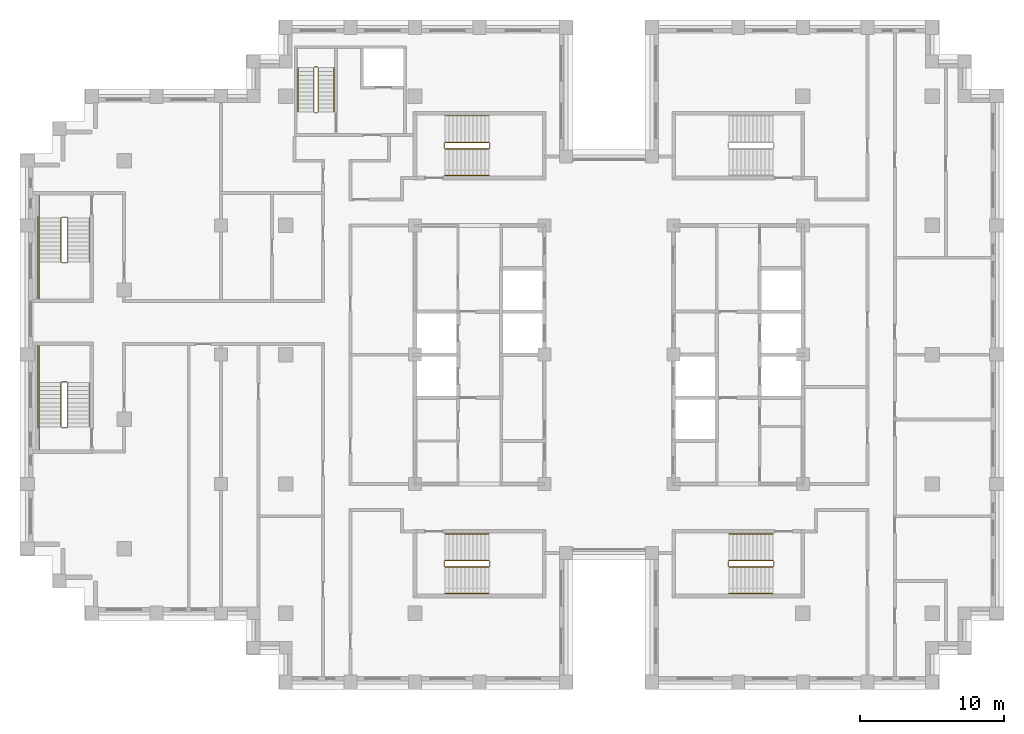
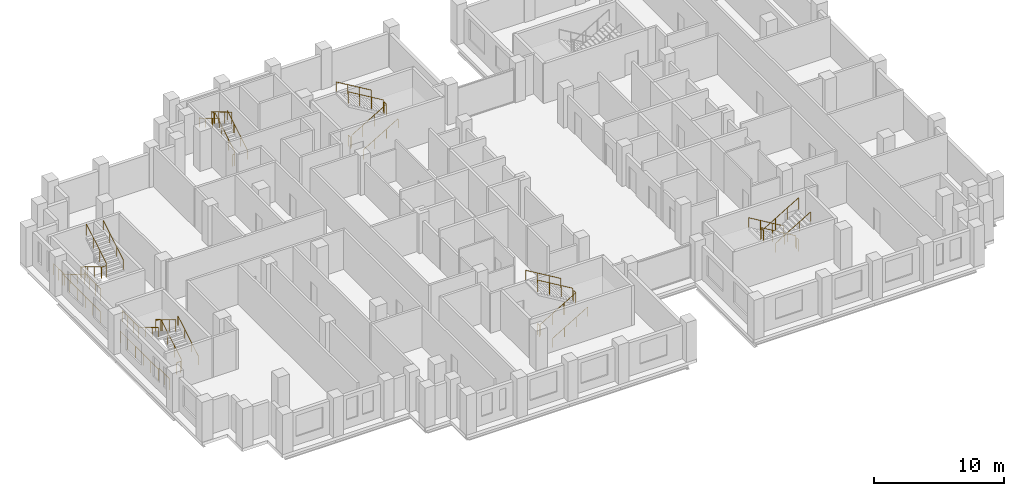
# One storey, part 14 of 15: 6 railings.
"""IFC4 building model written with IfcOpenShell, lengths in metres."""

from ifc_helpers import new_model, si_unit, direction, frame, origin, origin_2d, place, context, subcontext, project, spatial, circle, extrude, material, type_object, element, save


model = new_model("IFC4")

# Units and contexts
model_context = context("Model", 3, precision=1e-05, world=origin(), true_north=direction((0.0, 1.0)))
body_context = subcontext(model_context, "Body", "Model", "MODEL_VIEW")
ifc_project = project(units=[si_unit("LENGTHUNIT", "METRE"), si_unit("AREAUNIT", "SQUARE_METRE"), si_unit("VOLUMEUNIT", "CUBIC_METRE"), si_unit("PLANEANGLEUNIT", "RADIAN"), si_unit("MASSUNIT", "GRAM", prefix="KILO")], contexts=[model_context])

# Site, building, storey
site_placement = place(None, origin())
site = spatial("IfcSite", under=ifc_project, at=site_placement, CompositionType="ELEMENT")
building_placement = place(site_placement, origin())
building = spatial("IfcBuilding", under=site, at=building_placement, Name="Corbelhall Arena Tower", CompositionType="ELEMENT")
storey_placement = place(building_placement, frame((0.0, 0.0, 204.0)))
storey = spatial("IfcBuildingStorey", under=building, at=storey_placement, Name="L42", CompositionType="ELEMENT", Elevation=204.0)

# Railings
ifc_material = material(Name="Steel ASTM A500 Gr C", Category="steel")
railing_type = type_object("IfcRailingType", Name="IN-GD-1100", PredefinedType="GUARDRAIL", material=ifc_material)
railing_1_placement = place(storey_placement, frame((-11.425048828125, 14.324951171875, 0.166748046875)))
element("IfcRailing", 1, at=railing_1_placement, inside=storey, type_object=railing_type, Name="L42 ST1 stair guards and handrails", PredefinedType="GUARDRAIL", context=body_context, shape_type="SweptSolid", body=[
    extrude(circle(Radius=0.02392578125, at=origin_2d()), frame((0.0, 0.0, 1.076171875), z_axis=(0.859308565015, 0.0, 0.511457515432), x_axis=(0.0, 1.0, 0.0)), (0.0, 0.0, 1.0), 3.58447265625),
    extrude(circle(Radius=0.02392578125, at=origin_2d()), frame((3.130126953125, 0.050048828125, 2.9091796875), z_axis=(0.0, 1.0, 0.0), x_axis=(-1.0, 0.0, 0.0)), (0.0, 0.0, 1.0), 0.35009765625),
    extrude(circle(Radius=0.02392578125, at=origin_2d()), frame((3.080078125, 0.449951171875, 3.076171875), z_axis=(-0.859308565015, 0.0, 0.511457515432), x_axis=(0.0, -1.0, 0.0)), (0.0, 0.0, 1.0), 3.58447265625),
    extrude(circle(Radius=0.02392578125, at=origin_2d()), frame((-0.050048828125, 0.050048828125, 0.9091796875), z_axis=(0.0, 1.0, 0.0), x_axis=(-1.0, 0.0, 0.0)), (0.0, 0.0, 1.0), 0.35009765625),
    extrude(circle(Radius=0.02392578125, at=origin_2d()), frame((0.0, -1.849853515625, 0.8759765625), z_axis=(0.859308565015, 0.0, 0.511457515432), x_axis=(0.0, 1.0, 0.0)), (0.0, 0.0, 1.0), 3.58447265625),
    extrude(circle(Radius=0.02392578125, at=origin_2d()), frame((3.080078125, 2.300048828125, 2.8759765625), z_axis=(-0.859308565015, 0.0, 0.511457515432), x_axis=(0.0, -1.0, 0.0)), (0.0, 0.0, 1.0), 3.58447265625),
    extrude(circle(Radius=0.02099609375, at=origin_2d()), origin(), (0.0, 0.0, 1.0), 1.052001953125),
    extrude(circle(Radius=0.02099609375, at=origin_2d()), frame((1.026611328125, 0.0, 0.611083984375)), (0.0, 0.0, 1.0), 1.052001953125),
    extrude(circle(Radius=0.02099609375, at=origin_2d()), frame((2.053466796875, 0.0, 1.22216796875)), (0.0, 0.0, 1.0), 1.052001953125),
    extrude(circle(Radius=0.02099609375, at=origin_2d()), frame((3.080078125, 0.0, 1.833251953125)), (0.0, 0.0, 1.0), 1.052001953125),
    extrude(circle(Radius=0.02099609375, at=origin_2d()), frame((3.130126953125, 0.050048828125, 1.833251953125)), (0.0, 0.0, 1.0), 1.052001953125),
    extrude(circle(Radius=0.02099609375, at=origin_2d()), frame((3.130126953125, 0.400146484375, 1.833251953125)), (0.0, 0.0, 1.0), 1.052001953125),
    extrude(circle(Radius=0.02099609375, at=origin_2d()), frame((3.080078125, 0.449951171875, 2.0)), (0.0, 0.0, 1.0), 1.052001953125),
    extrude(circle(Radius=0.02099609375, at=origin_2d()), frame((2.053466796875, 0.449951171875, 2.611083984375)), (0.0, 0.0, 1.0), 1.052001953125),
    extrude(circle(Radius=0.02099609375, at=origin_2d()), frame((1.026611328125, 0.449951171875, 3.22216796875)), (0.0, 0.0, 1.0), 1.052001953125),
    extrude(circle(Radius=0.02099609375, at=origin_2d()), frame((0.0, 0.449951171875, 3.833251953125)), (0.0, 0.0, 1.0), 1.052001953125),
    extrude(circle(Radius=0.02099609375, at=origin_2d()), frame((-0.050048828125, 0.050048828125, -0.166748046875)), (0.0, 0.0, 1.0), 1.052001953125),
    extrude(circle(Radius=0.02099609375, at=origin_2d()), frame((-0.050048828125, 0.400146484375, -0.166748046875)), (0.0, 0.0, 1.0), 1.052001953125),
    extrude(circle(Radius=0.02099609375, at=origin_2d()), frame((0.0, -1.849853515625, 0.0)), (0.0, 0.0, 1.0), 0.851806640625),
    extrude(circle(Radius=0.02099609375, at=origin_2d()), frame((1.026611328125, -1.849853515625, 0.611083984375)), (0.0, 0.0, 1.0), 0.851806640625),
    extrude(circle(Radius=0.02099609375, at=origin_2d()), frame((2.053466796875, -1.849853515625, 1.22216796875)), (0.0, 0.0, 1.0), 0.851806640625),
    extrude(circle(Radius=0.02099609375, at=origin_2d()), frame((3.080078125, -1.849853515625, 1.833251953125)), (0.0, 0.0, 1.0), 0.851806640625),
    extrude(circle(Radius=0.02099609375, at=origin_2d()), frame((3.080078125, 2.300048828125, 2.0)), (0.0, 0.0, 1.0), 0.851806640625),
    extrude(circle(Radius=0.02099609375, at=origin_2d()), frame((2.053466796875, 2.300048828125, 2.611083984375)), (0.0, 0.0, 1.0), 0.851806640625),
    extrude(circle(Radius=0.02099609375, at=origin_2d()), frame((1.026611328125, 2.300048828125, 3.22216796875)), (0.0, 0.0, 1.0), 0.851806640625),
    extrude(circle(Radius=0.02099609375, at=origin_2d()), frame((0.0, 2.300048828125, 3.833251953125)), (0.0, 0.0, 1.0), 0.851806640625),
])
railing_2_placement = place(storey_placement, frame((-11.425048828125, -14.77490234375, 0.166748046875)))
element("IfcRailing", 2, at=railing_2_placement, inside=storey, type_object=railing_type, Name="L42 ST2 stair guards and handrails", PredefinedType="GUARDRAIL", context=body_context, shape_type="SweptSolid", body=[
    extrude(circle(Radius=0.02392578125, at=origin_2d()), frame((0.0, 0.0, 1.076171875), z_axis=(0.859308565015, 0.0, 0.511457515432), x_axis=(0.0, 1.0, 0.0)), (0.0, 0.0, 1.0), 3.58447265625),
    extrude(circle(Radius=0.02392578125, at=origin_2d()), frame((3.130126953125, 0.0498046875, 2.9091796875), z_axis=(0.0, 1.0, 0.0), x_axis=(-1.0, 0.0, 0.0)), (0.0, 0.0, 1.0), 0.35009765625),
    extrude(circle(Radius=0.02392578125, at=origin_2d()), frame((3.080078125, 0.449951171875, 3.076171875), z_axis=(-0.859308565015, 0.0, 0.511457515432), x_axis=(0.0, -1.0, 0.0)), (0.0, 0.0, 1.0), 3.58447265625),
    extrude(circle(Radius=0.02392578125, at=origin_2d()), frame((-0.050048828125, 0.0498046875, 0.9091796875), z_axis=(0.0, 1.0, 0.0), x_axis=(-1.0, 0.0, 0.0)), (0.0, 0.0, 1.0), 0.35009765625),
    extrude(circle(Radius=0.02392578125, at=origin_2d()), frame((0.0, -1.85009765625, 0.8759765625), z_axis=(0.859308565015, 0.0, 0.511457515432), x_axis=(0.0, 1.0, 0.0)), (0.0, 0.0, 1.0), 3.58447265625),
    extrude(circle(Radius=0.02392578125, at=origin_2d()), frame((3.080078125, 2.2998046875, 2.8759765625), z_axis=(-0.859308565015, 0.0, 0.511457515432), x_axis=(0.0, -1.0, 0.0)), (0.0, 0.0, 1.0), 3.58447265625),
    extrude(circle(Radius=0.02099609375, at=origin_2d()), origin(), (0.0, 0.0, 1.0), 1.052001953125),
    extrude(circle(Radius=0.02099609375, at=origin_2d()), frame((1.026611328125, 0.0, 0.611083984375)), (0.0, 0.0, 1.0), 1.052001953125),
    extrude(circle(Radius=0.02099609375, at=origin_2d()), frame((2.053466796875, 0.0, 1.22216796875)), (0.0, 0.0, 1.0), 1.052001953125),
    extrude(circle(Radius=0.02099609375, at=origin_2d()), frame((3.080078125, 0.0, 1.833251953125)), (0.0, 0.0, 1.0), 1.052001953125),
    extrude(circle(Radius=0.02099609375, at=origin_2d()), frame((3.130126953125, 0.0498046875, 1.833251953125)), (0.0, 0.0, 1.0), 1.052001953125),
    extrude(circle(Radius=0.02099609375, at=origin_2d()), frame((3.130126953125, 0.39990234375, 1.833251953125)), (0.0, 0.0, 1.0), 1.052001953125),
    extrude(circle(Radius=0.02099609375, at=origin_2d()), frame((3.080078125, 0.449951171875, 2.0)), (0.0, 0.0, 1.0), 1.052001953125),
    extrude(circle(Radius=0.02099609375, at=origin_2d()), frame((2.053466796875, 0.449951171875, 2.611083984375)), (0.0, 0.0, 1.0), 1.052001953125),
    extrude(circle(Radius=0.02099609375, at=origin_2d()), frame((1.026611328125, 0.449951171875, 3.22216796875)), (0.0, 0.0, 1.0), 1.052001953125),
    extrude(circle(Radius=0.02099609375, at=origin_2d()), frame((0.0, 0.449951171875, 3.833251953125)), (0.0, 0.0, 1.0), 1.052001953125),
    extrude(circle(Radius=0.02099609375, at=origin_2d()), frame((-0.050048828125, 0.0498046875, -0.166748046875)), (0.0, 0.0, 1.0), 1.052001953125),
    extrude(circle(Radius=0.02099609375, at=origin_2d()), frame((-0.050048828125, 0.39990234375, -0.166748046875)), (0.0, 0.0, 1.0), 1.052001953125),
    extrude(circle(Radius=0.02099609375, at=origin_2d()), frame((0.0, -1.85009765625, 0.0)), (0.0, 0.0, 1.0), 0.851806640625),
    extrude(circle(Radius=0.02099609375, at=origin_2d()), frame((1.026611328125, -1.85009765625, 0.611083984375)), (0.0, 0.0, 1.0), 0.851806640625),
    extrude(circle(Radius=0.02099609375, at=origin_2d()), frame((2.053466796875, -1.85009765625, 1.22216796875)), (0.0, 0.0, 1.0), 0.851806640625),
    extrude(circle(Radius=0.02099609375, at=origin_2d()), frame((3.080078125, -1.85009765625, 1.833251953125)), (0.0, 0.0, 1.0), 0.851806640625),
    extrude(circle(Radius=0.02099609375, at=origin_2d()), frame((3.080078125, 2.2998046875, 2.0)), (0.0, 0.0, 1.0), 0.851806640625),
    extrude(circle(Radius=0.02099609375, at=origin_2d()), frame((2.053466796875, 2.2998046875, 2.611083984375)), (0.0, 0.0, 1.0), 0.851806640625),
    extrude(circle(Radius=0.02099609375, at=origin_2d()), frame((1.026611328125, 2.2998046875, 3.22216796875)), (0.0, 0.0, 1.0), 0.851806640625),
    extrude(circle(Radius=0.02099609375, at=origin_2d()), frame((0.0, 2.2998046875, 3.833251953125)), (0.0, 0.0, 1.0), 0.851806640625),
])
railing_3_placement = place(storey_placement, frame((11.425048828125, -14.324951171875, 0.166748046875)))
element("IfcRailing", 3, at=railing_3_placement, inside=storey, type_object=railing_type, Name="L42 ST4 stair guards and handrails", PredefinedType="GUARDRAIL", context=body_context, shape_type="SweptSolid", body=[
    extrude(circle(Radius=0.02392578125, at=origin_2d()), frame((0.0, 0.0, 1.076171875), z_axis=(-0.859308565015, 0.0, 0.511457515432), x_axis=(0.0, -1.0, 0.0)), (0.0, 0.0, 1.0), 3.58447265625),
    extrude(circle(Radius=0.02392578125, at=origin_2d()), frame((-3.130126953125, -0.050048828125, 2.9091796875), z_axis=(0.0, -1.0, 0.0), x_axis=(1.0, 0.0, 0.0)), (0.0, 0.0, 1.0), 0.35009765625),
    extrude(circle(Radius=0.02392578125, at=origin_2d()), frame((-3.080078125, -0.449951171875, 3.076171875), z_axis=(0.859308565015, 0.0, 0.511457515432), x_axis=(0.0, 1.0, 0.0)), (0.0, 0.0, 1.0), 3.58447265625),
    extrude(circle(Radius=0.02392578125, at=origin_2d()), frame((0.050048828125, -0.050048828125, 0.9091796875), z_axis=(0.0, -1.0, 0.0), x_axis=(1.0, 0.0, 0.0)), (0.0, 0.0, 1.0), 0.35009765625),
    extrude(circle(Radius=0.02392578125, at=origin_2d()), frame((0.0, 1.849853515625, 0.8759765625), z_axis=(-0.859308565015, 0.0, 0.511457515432), x_axis=(0.0, -1.0, 0.0)), (0.0, 0.0, 1.0), 3.58447265625),
    extrude(circle(Radius=0.02392578125, at=origin_2d()), frame((-3.080078125, -2.300048828125, 2.8759765625), z_axis=(0.859308565015, 0.0, 0.511457515432), x_axis=(0.0, 1.0, 0.0)), (0.0, 0.0, 1.0), 3.58447265625),
    extrude(circle(Radius=0.02099609375, at=origin_2d()), origin(), (0.0, 0.0, 1.0), 1.052001953125),
    extrude(circle(Radius=0.02099609375, at=origin_2d()), frame((-1.026611328125, 0.0, 0.611083984375)), (0.0, 0.0, 1.0), 1.052001953125),
    extrude(circle(Radius=0.02099609375, at=origin_2d()), frame((-2.053466796875, 0.0, 1.22216796875)), (0.0, 0.0, 1.0), 1.052001953125),
    extrude(circle(Radius=0.02099609375, at=origin_2d()), frame((-3.080078125, 0.0, 1.833251953125)), (0.0, 0.0, 1.0), 1.052001953125),
    extrude(circle(Radius=0.02099609375, at=origin_2d()), frame((-3.130126953125, -0.050048828125, 1.833251953125)), (0.0, 0.0, 1.0), 1.052001953125),
    extrude(circle(Radius=0.02099609375, at=origin_2d()), frame((-3.130126953125, -0.400146484375, 1.833251953125)), (0.0, 0.0, 1.0), 1.052001953125),
    extrude(circle(Radius=0.02099609375, at=origin_2d()), frame((-3.080078125, -0.449951171875, 2.0)), (0.0, 0.0, 1.0), 1.052001953125),
    extrude(circle(Radius=0.02099609375, at=origin_2d()), frame((-2.053466796875, -0.449951171875, 2.611083984375)), (0.0, 0.0, 1.0), 1.052001953125),
    extrude(circle(Radius=0.02099609375, at=origin_2d()), frame((-1.026611328125, -0.449951171875, 3.22216796875)), (0.0, 0.0, 1.0), 1.052001953125),
    extrude(circle(Radius=0.02099609375, at=origin_2d()), frame((0.0, -0.449951171875, 3.833251953125)), (0.0, 0.0, 1.0), 1.052001953125),
    extrude(circle(Radius=0.02099609375, at=origin_2d()), frame((0.050048828125, -0.050048828125, -0.166748046875)), (0.0, 0.0, 1.0), 1.052001953125),
    extrude(circle(Radius=0.02099609375, at=origin_2d()), frame((0.050048828125, -0.400146484375, -0.166748046875)), (0.0, 0.0, 1.0), 1.052001953125),
    extrude(circle(Radius=0.02099609375, at=origin_2d()), frame((0.0, 1.849853515625, 0.0)), (0.0, 0.0, 1.0), 0.851806640625),
    extrude(circle(Radius=0.02099609375, at=origin_2d()), frame((-1.026611328125, 1.849853515625, 0.611083984375)), (0.0, 0.0, 1.0), 0.851806640625),
    extrude(circle(Radius=0.02099609375, at=origin_2d()), frame((-2.053466796875, 1.849853515625, 1.22216796875)), (0.0, 0.0, 1.0), 0.851806640625),
    extrude(circle(Radius=0.02099609375, at=origin_2d()), frame((-3.080078125, 1.849853515625, 1.833251953125)), (0.0, 0.0, 1.0), 0.851806640625),
    extrude(circle(Radius=0.02099609375, at=origin_2d()), frame((-3.080078125, -2.300048828125, 2.0)), (0.0, 0.0, 1.0), 0.851806640625),
    extrude(circle(Radius=0.02099609375, at=origin_2d()), frame((-2.053466796875, -2.300048828125, 2.611083984375)), (0.0, 0.0, 1.0), 0.851806640625),
    extrude(circle(Radius=0.02099609375, at=origin_2d()), frame((-1.026611328125, -2.300048828125, 3.22216796875)), (0.0, 0.0, 1.0), 0.851806640625),
    extrude(circle(Radius=0.02099609375, at=origin_2d()), frame((0.0, -2.300048828125, 3.833251953125)), (0.0, 0.0, 1.0), 0.851806640625),
])
railing_4_placement = place(storey_placement, frame((-38.14990234375, 9.52490234375, 0.166748046875)))
element("IfcRailing", 4, at=railing_4_placement, inside=storey, type_object=railing_type, Name="L42 SC1 stair guards and handrails", PredefinedType="GUARDRAIL", context=body_context, shape_type="SweptSolid", body=[
    extrude(circle(Radius=0.02392578125, at=origin_2d()), frame((0.0, 0.0, 1.076171875), z_axis=(0.0, -0.859290745958, 0.51148745235), x_axis=(1.0, 0.0, 0.0)), (0.0, 0.0, 1.0), 3.584228515625),
    extrude(circle(Radius=0.02392578125, at=origin_2d()), frame((0.0498046875, -3.1298828125, 2.9091796875), z_axis=(1.0, 0.0, 0.0), x_axis=(0.0, 1.0, 0.0)), (0.0, 0.0, 1.0), 0.375),
    extrude(circle(Radius=0.02392578125, at=origin_2d()), frame((-1.5, -3.079833984375, 2.9091796875), z_axis=(0.0, -1.0, 0.0), x_axis=(1.0, 0.0, 0.0)), (0.0, 0.0, 1.0), 2.570068359375),
    extrude(circle(Radius=0.02392578125, at=origin_2d()), frame((0.474853515625, -3.079833984375, 3.076171875), z_axis=(0.0, 0.859290745958, 0.51148745235), x_axis=(-1.0, 0.0, 0.0)), (0.0, 0.0, 1.0), 3.584228515625),
    extrude(circle(Radius=0.02392578125, at=origin_2d()), frame((0.0498046875, 0.050048828125, 0.9091796875), z_axis=(1.0, 0.0, 0.0), x_axis=(0.0, 1.0, 0.0)), (0.0, 0.0, 1.0), 0.375),
    extrude(circle(Radius=0.02392578125, at=origin_2d()), frame((-1.5, 1.60009765625, 0.9091796875), z_axis=(0.0, -1.0, 0.0), x_axis=(1.0, 0.0, 0.0)), (0.0, 0.0, 1.0), 1.60009765625),
    extrude(circle(Radius=0.02392578125, at=origin_2d()), frame((-1.60009765625, 0.10009765625, 0.9091796875), z_axis=(0.0, -1.0, 0.0), x_axis=(1.0, 0.0, 0.0)), (0.0, 0.0, 1.0), 5.85009765625),
    extrude(circle(Radius=0.02392578125, at=origin_2d()), frame((-1.5, 0.0, 0.8759765625), z_axis=(0.0, -0.859290745958, 0.51148745235), x_axis=(1.0, 0.0, 0.0)), (0.0, 0.0, 1.0), 3.584228515625),
    extrude(circle(Radius=0.02392578125, at=origin_2d()), frame((1.974853515625, -3.079833984375, 2.8759765625), z_axis=(0.0, 0.859290745958, 0.51148745235), x_axis=(-1.0, 0.0, 0.0)), (0.0, 0.0, 1.0), 3.584228515625),
    extrude(circle(Radius=0.02099609375, at=origin_2d()), origin(), (0.0, 0.0, 1.0), 1.052001953125),
    extrude(circle(Radius=0.02099609375, at=origin_2d()), frame((0.0, -1.026611328125, 0.611083984375)), (0.0, 0.0, 1.0), 1.052001953125),
    extrude(circle(Radius=0.02099609375, at=origin_2d()), frame((0.0, -2.05322265625, 1.22216796875)), (0.0, 0.0, 1.0), 1.052001953125),
    extrude(circle(Radius=0.02099609375, at=origin_2d()), frame((0.0, -3.079833984375, 1.833251953125)), (0.0, 0.0, 1.0), 1.052001953125),
    extrude(circle(Radius=0.02099609375, at=origin_2d()), frame((0.0498046875, -3.1298828125, 1.833251953125)), (0.0, 0.0, 1.0), 1.052001953125),
    extrude(circle(Radius=0.02099609375, at=origin_2d()), frame((0.4248046875, -3.1298828125, 1.833251953125)), (0.0, 0.0, 1.0), 1.052001953125),
    extrude(circle(Radius=0.02099609375, at=origin_2d()), frame((-1.5, -3.079833984375, 1.833251953125)), (0.0, 0.0, 1.0), 1.052001953125),
    extrude(circle(Radius=0.02099609375, at=origin_2d()), frame((-1.5, -3.9365234375, 1.833251953125)), (0.0, 0.0, 1.0), 1.052001953125),
    extrude(circle(Radius=0.02099609375, at=origin_2d()), frame((-1.5, -4.793212890625, 1.833251953125)), (0.0, 0.0, 1.0), 1.052001953125),
    extrude(circle(Radius=0.02099609375, at=origin_2d()), frame((-1.5, -5.64990234375, 1.833251953125)), (0.0, 0.0, 1.0), 1.052001953125),
    extrude(circle(Radius=0.02099609375, at=origin_2d()), frame((0.474853515625, -3.079833984375, 2.0)), (0.0, 0.0, 1.0), 1.052001953125),
    extrude(circle(Radius=0.02099609375, at=origin_2d()), frame((0.474853515625, -2.05322265625, 2.611083984375)), (0.0, 0.0, 1.0), 1.052001953125),
    extrude(circle(Radius=0.02099609375, at=origin_2d()), frame((0.474853515625, -1.026611328125, 3.22216796875)), (0.0, 0.0, 1.0), 1.052001953125),
    extrude(circle(Radius=0.02099609375, at=origin_2d()), frame((0.474853515625, 0.0, 3.833251953125)), (0.0, 0.0, 1.0), 1.052001953125),
    extrude(circle(Radius=0.02099609375, at=origin_2d()), frame((0.0498046875, 0.050048828125, -0.166748046875)), (0.0, 0.0, 1.0), 1.052001953125),
    extrude(circle(Radius=0.02099609375, at=origin_2d()), frame((0.4248046875, 0.050048828125, -0.166748046875)), (0.0, 0.0, 1.0), 1.052001953125),
    extrude(circle(Radius=0.02099609375, at=origin_2d()), frame((-1.5, 1.60009765625, -0.166748046875)), (0.0, 0.0, 1.0), 1.052001953125),
    extrude(circle(Radius=0.02099609375, at=origin_2d()), frame((-1.5, 0.800048828125, -0.166748046875)), (0.0, 0.0, 1.0), 1.052001953125),
    extrude(circle(Radius=0.02099609375, at=origin_2d()), frame((-1.5, 0.0, -0.166748046875)), (0.0, 0.0, 1.0), 1.052001953125),
    extrude(circle(Radius=0.02099609375, at=origin_2d()), frame((-1.60009765625, 0.10009765625, -0.166748046875)), (0.0, 0.0, 1.0), 1.052001953125),
    extrude(circle(Radius=0.02099609375, at=origin_2d()), frame((-1.60009765625, -1.06982421875, -0.166748046875)), (0.0, 0.0, 1.0), 1.052001953125),
    extrude(circle(Radius=0.02099609375, at=origin_2d()), frame((-1.60009765625, -2.239990234375, -0.166748046875)), (0.0, 0.0, 1.0), 1.052001953125),
    extrude(circle(Radius=0.02099609375, at=origin_2d()), frame((-1.60009765625, -3.409912109375, -0.166748046875)), (0.0, 0.0, 1.0), 1.052001953125),
    extrude(circle(Radius=0.02099609375, at=origin_2d()), frame((-1.60009765625, -4.580078125, -0.166748046875)), (0.0, 0.0, 1.0), 1.052001953125),
    extrude(circle(Radius=0.02099609375, at=origin_2d()), frame((-1.60009765625, -5.75, -0.166748046875)), (0.0, 0.0, 1.0), 1.052001953125),
    extrude(circle(Radius=0.02099609375, at=origin_2d()), frame((-1.5, 0.0, 0.0)), (0.0, 0.0, 1.0), 0.851806640625),
    extrude(circle(Radius=0.02099609375, at=origin_2d()), frame((-1.5, -1.026611328125, 0.611083984375)), (0.0, 0.0, 1.0), 0.851806640625),
    extrude(circle(Radius=0.02099609375, at=origin_2d()), frame((-1.5, -2.05322265625, 1.22216796875)), (0.0, 0.0, 1.0), 0.851806640625),
    extrude(circle(Radius=0.02099609375, at=origin_2d()), frame((1.974853515625, -3.079833984375, 2.0)), (0.0, 0.0, 1.0), 0.851806640625),
    extrude(circle(Radius=0.02099609375, at=origin_2d()), frame((1.974853515625, -2.05322265625, 2.611083984375)), (0.0, 0.0, 1.0), 0.851806640625),
    extrude(circle(Radius=0.02099609375, at=origin_2d()), frame((1.974853515625, -1.026611328125, 3.22216796875)), (0.0, 0.0, 1.0), 0.851806640625),
    extrude(circle(Radius=0.02099609375, at=origin_2d()), frame((1.974853515625, 0.0, 3.833251953125)), (0.0, 0.0, 1.0), 0.851806640625),
])
railing_5_placement = place(storey_placement, frame((-37.675048828125, -5.02490234375, 0.166748046875)))
element("IfcRailing", 5, at=railing_5_placement, inside=storey, type_object=railing_type, Name="L42 SC2 stair guards and handrails", PredefinedType="GUARDRAIL", context=body_context, shape_type="SweptSolid", body=[
    extrude(circle(Radius=0.02392578125, at=origin_2d()), frame((0.0, 0.0, 1.076171875), z_axis=(0.0, 0.859290745958, 0.51148745235), x_axis=(-1.0, 0.0, 0.0)), (0.0, 0.0, 1.0), 3.584228515625),
    extrude(circle(Radius=0.02392578125, at=origin_2d()), frame((-0.050048828125, 3.1298828125, 2.9091796875), z_axis=(-1.0, 0.0, 0.0), x_axis=(0.0, -1.0, 0.0)), (0.0, 0.0, 1.0), 0.375),
    extrude(circle(Radius=0.02392578125, at=origin_2d()), frame((-1.974853515625, 3.079833984375, 2.9091796875), z_axis=(0.0, 1.0, 0.0), x_axis=(-1.0, 0.0, 0.0)), (0.0, 0.0, 1.0), 2.570068359375),
    extrude(circle(Radius=0.02392578125, at=origin_2d()), frame((-0.474853515625, 3.079833984375, 3.076171875), z_axis=(0.0, -0.859290745958, 0.51148745235), x_axis=(1.0, 0.0, 0.0)), (0.0, 0.0, 1.0), 3.584228515625),
    extrude(circle(Radius=0.02392578125, at=origin_2d()), frame((-0.050048828125, -0.050048828125, 0.9091796875), z_axis=(-1.0, 0.0, 0.0), x_axis=(0.0, -1.0, 0.0)), (0.0, 0.0, 1.0), 0.375),
    extrude(circle(Radius=0.02392578125, at=origin_2d()), frame((-1.974853515625, -1.60009765625, 0.9091796875), z_axis=(0.0, 1.0, 0.0), x_axis=(-1.0, 0.0, 0.0)), (0.0, 0.0, 1.0), 1.60009765625),
    extrude(circle(Radius=0.02392578125, at=origin_2d()), frame((-2.074951171875, -0.10009765625, 0.9091796875), z_axis=(0.0, 1.0, 0.0), x_axis=(-1.0, 0.0, 0.0)), (0.0, 0.0, 1.0), 5.85009765625),
    extrude(circle(Radius=0.02392578125, at=origin_2d()), frame((1.5, 0.0, 0.8759765625), z_axis=(0.0, 0.859290745958, 0.51148745235), x_axis=(-1.0, 0.0, 0.0)), (0.0, 0.0, 1.0), 3.584228515625),
    extrude(circle(Radius=0.02392578125, at=origin_2d()), frame((-1.974853515625, 3.079833984375, 2.8759765625), z_axis=(0.0, -0.859290745958, 0.51148745235), x_axis=(1.0, 0.0, 0.0)), (0.0, 0.0, 1.0), 3.584228515625),
    extrude(circle(Radius=0.02099609375, at=origin_2d()), origin(), (0.0, 0.0, 1.0), 1.052001953125),
    extrude(circle(Radius=0.02099609375, at=origin_2d()), frame((0.0, 1.026611328125, 0.611083984375)), (0.0, 0.0, 1.0), 1.052001953125),
    extrude(circle(Radius=0.02099609375, at=origin_2d()), frame((0.0, 2.05322265625, 1.22216796875)), (0.0, 0.0, 1.0), 1.052001953125),
    extrude(circle(Radius=0.02099609375, at=origin_2d()), frame((0.0, 3.079833984375, 1.833251953125)), (0.0, 0.0, 1.0), 1.052001953125),
    extrude(circle(Radius=0.02099609375, at=origin_2d()), frame((-0.050048828125, 3.1298828125, 1.833251953125)), (0.0, 0.0, 1.0), 1.052001953125),
    extrude(circle(Radius=0.02099609375, at=origin_2d()), frame((-0.425048828125, 3.1298828125, 1.833251953125)), (0.0, 0.0, 1.0), 1.052001953125),
    extrude(circle(Radius=0.02099609375, at=origin_2d()), frame((-1.974853515625, 3.079833984375, 1.833251953125)), (0.0, 0.0, 1.0), 1.052001953125),
    extrude(circle(Radius=0.02099609375, at=origin_2d()), frame((-1.974853515625, 3.9365234375, 1.833251953125)), (0.0, 0.0, 1.0), 1.052001953125),
    extrude(circle(Radius=0.02099609375, at=origin_2d()), frame((-1.974853515625, 4.793212890625, 1.833251953125)), (0.0, 0.0, 1.0), 1.052001953125),
    extrude(circle(Radius=0.02099609375, at=origin_2d()), frame((-1.974853515625, 5.64990234375, 1.833251953125)), (0.0, 0.0, 1.0), 1.052001953125),
    extrude(circle(Radius=0.02099609375, at=origin_2d()), frame((-0.474853515625, 3.079833984375, 2.0)), (0.0, 0.0, 1.0), 1.052001953125),
    extrude(circle(Radius=0.02099609375, at=origin_2d()), frame((-0.474853515625, 2.05322265625, 2.611083984375)), (0.0, 0.0, 1.0), 1.052001953125),
    extrude(circle(Radius=0.02099609375, at=origin_2d()), frame((-0.474853515625, 1.026611328125, 3.22216796875)), (0.0, 0.0, 1.0), 1.052001953125),
    extrude(circle(Radius=0.02099609375, at=origin_2d()), frame((-0.474853515625, 0.0, 3.833251953125)), (0.0, 0.0, 1.0), 1.052001953125),
    extrude(circle(Radius=0.02099609375, at=origin_2d()), frame((-0.050048828125, -0.050048828125, -0.166748046875)), (0.0, 0.0, 1.0), 1.052001953125),
    extrude(circle(Radius=0.02099609375, at=origin_2d()), frame((-0.425048828125, -0.050048828125, -0.166748046875)), (0.0, 0.0, 1.0), 1.052001953125),
    extrude(circle(Radius=0.02099609375, at=origin_2d()), frame((-1.974853515625, -1.60009765625, -0.166748046875)), (0.0, 0.0, 1.0), 1.052001953125),
    extrude(circle(Radius=0.02099609375, at=origin_2d()), frame((-1.974853515625, -0.800048828125, -0.166748046875)), (0.0, 0.0, 1.0), 1.052001953125),
    extrude(circle(Radius=0.02099609375, at=origin_2d()), frame((-1.974853515625, 0.0, -0.166748046875)), (0.0, 0.0, 1.0), 1.052001953125),
    extrude(circle(Radius=0.02099609375, at=origin_2d()), frame((-2.074951171875, -0.10009765625, -0.166748046875)), (0.0, 0.0, 1.0), 1.052001953125),
    extrude(circle(Radius=0.02099609375, at=origin_2d()), frame((-2.074951171875, 1.06982421875, -0.166748046875)), (0.0, 0.0, 1.0), 1.052001953125),
    extrude(circle(Radius=0.02099609375, at=origin_2d()), frame((-2.074951171875, 2.239990234375, -0.166748046875)), (0.0, 0.0, 1.0), 1.052001953125),
    extrude(circle(Radius=0.02099609375, at=origin_2d()), frame((-2.074951171875, 3.409912109375, -0.166748046875)), (0.0, 0.0, 1.0), 1.052001953125),
    extrude(circle(Radius=0.02099609375, at=origin_2d()), frame((-2.074951171875, 4.580078125, -0.166748046875)), (0.0, 0.0, 1.0), 1.052001953125),
    extrude(circle(Radius=0.02099609375, at=origin_2d()), frame((-2.074951171875, 5.75, -0.166748046875)), (0.0, 0.0, 1.0), 1.052001953125),
    extrude(circle(Radius=0.02099609375, at=origin_2d()), frame((1.5, 0.0, 0.0)), (0.0, 0.0, 1.0), 0.851806640625),
    extrude(circle(Radius=0.02099609375, at=origin_2d()), frame((1.5, 1.026611328125, 0.611083984375)), (0.0, 0.0, 1.0), 0.851806640625),
    extrude(circle(Radius=0.02099609375, at=origin_2d()), frame((1.5, 2.05322265625, 1.22216796875)), (0.0, 0.0, 1.0), 0.851806640625),
    extrude(circle(Radius=0.02099609375, at=origin_2d()), frame((1.5, 3.079833984375, 1.833251953125)), (0.0, 0.0, 1.0), 0.851806640625),
    extrude(circle(Radius=0.02099609375, at=origin_2d()), frame((-1.974853515625, 3.079833984375, 2.0)), (0.0, 0.0, 1.0), 0.851806640625),
    extrude(circle(Radius=0.02099609375, at=origin_2d()), frame((-1.974853515625, 2.05322265625, 2.611083984375)), (0.0, 0.0, 1.0), 0.851806640625),
    extrude(circle(Radius=0.02099609375, at=origin_2d()), frame((-1.974853515625, 1.026611328125, 3.22216796875)), (0.0, 0.0, 1.0), 0.851806640625),
    extrude(circle(Radius=0.02099609375, at=origin_2d()), frame((-1.974853515625, 0.0, 3.833251953125)), (0.0, 0.0, 1.0), 0.851806640625),
])
railing_6_placement = place(storey_placement, frame((-20.2451171875, 16.89990234375, 0.166748046875)))
element("IfcRailing", 6, at=railing_6_placement, inside=storey, type_object=railing_type, Name="L42 ST5 stair guards and handrails", PredefinedType="GUARDRAIL", context=body_context, shape_type="SweptSolid", body=[
    extrude(circle(Radius=0.02392578125, at=origin_2d()), frame((0.0, 0.0, 1.076171875), z_axis=(0.0, 0.859308565015, 0.511457515432), x_axis=(-1.0, 0.0, 0.0)), (0.0, 0.0, 1.0), 3.58447265625),
    extrude(circle(Radius=0.02392578125, at=origin_2d()), frame((-0.0498046875, 3.130126953125, 2.9091796875), z_axis=(-1.0, 0.0, 0.0), x_axis=(0.0, -1.0, 0.0)), (0.0, 0.0, 1.0), 0.2001953125),
    extrude(circle(Radius=0.02392578125, at=origin_2d()), frame((-0.2998046875, 3.080078125, 3.076171875), z_axis=(0.0, -0.859308565015, 0.511457515432), x_axis=(1.0, 0.0, 0.0)), (0.0, 0.0, 1.0), 3.58447265625),
    extrude(circle(Radius=0.02392578125, at=origin_2d()), frame((-0.0498046875, -0.0498046875, 0.9091796875), z_axis=(-1.0, 0.0, 0.0), x_axis=(0.0, -1.0, 0.0)), (0.0, 0.0, 1.0), 0.2001953125),
    extrude(circle(Radius=0.02392578125, at=origin_2d()), frame((1.10009765625, 0.0, 0.8759765625), z_axis=(0.0, 0.859308565015, 0.511457515432), x_axis=(-1.0, 0.0, 0.0)), (0.0, 0.0, 1.0), 3.58447265625),
    extrude(circle(Radius=0.02392578125, at=origin_2d()), frame((-1.39990234375, 3.080078125, 2.8759765625), z_axis=(0.0, -0.859308565015, 0.511457515432), x_axis=(1.0, 0.0, 0.0)), (0.0, 0.0, 1.0), 3.58447265625),
    extrude(circle(Radius=0.02099609375, at=origin_2d()), origin(), (0.0, 0.0, 1.0), 1.052001953125),
    extrude(circle(Radius=0.02099609375, at=origin_2d()), frame((0.0, 1.026611328125, 0.611083984375)), (0.0, 0.0, 1.0), 1.052001953125),
    extrude(circle(Radius=0.02099609375, at=origin_2d()), frame((0.0, 2.053466796875, 1.22216796875)), (0.0, 0.0, 1.0), 1.052001953125),
    extrude(circle(Radius=0.02099609375, at=origin_2d()), frame((0.0, 3.080078125, 1.833251953125)), (0.0, 0.0, 1.0), 1.052001953125),
    extrude(circle(Radius=0.02099609375, at=origin_2d()), frame((-0.0498046875, 3.130126953125, 1.833251953125)), (0.0, 0.0, 1.0), 1.052001953125),
    extrude(circle(Radius=0.02099609375, at=origin_2d()), frame((-0.25, 3.130126953125, 1.833251953125)), (0.0, 0.0, 1.0), 1.052001953125),
    extrude(circle(Radius=0.02099609375, at=origin_2d()), frame((-0.2998046875, 3.080078125, 2.0)), (0.0, 0.0, 1.0), 1.052001953125),
    extrude(circle(Radius=0.02099609375, at=origin_2d()), frame((-0.2998046875, 2.053466796875, 2.611083984375)), (0.0, 0.0, 1.0), 1.052001953125),
    extrude(circle(Radius=0.02099609375, at=origin_2d()), frame((-0.2998046875, 1.026611328125, 3.22216796875)), (0.0, 0.0, 1.0), 1.052001953125),
    extrude(circle(Radius=0.02099609375, at=origin_2d()), frame((-0.2998046875, 0.0, 3.833251953125)), (0.0, 0.0, 1.0), 1.052001953125),
    extrude(circle(Radius=0.02099609375, at=origin_2d()), frame((-0.0498046875, -0.0498046875, -0.166748046875)), (0.0, 0.0, 1.0), 1.052001953125),
    extrude(circle(Radius=0.02099609375, at=origin_2d()), frame((-0.25, -0.0498046875, -0.166748046875)), (0.0, 0.0, 1.0), 1.052001953125),
    extrude(circle(Radius=0.02099609375, at=origin_2d()), frame((1.10009765625, 0.0, 0.0)), (0.0, 0.0, 1.0), 0.851806640625),
    extrude(circle(Radius=0.02099609375, at=origin_2d()), frame((1.10009765625, 1.026611328125, 0.611083984375)), (0.0, 0.0, 1.0), 0.851806640625),
    extrude(circle(Radius=0.02099609375, at=origin_2d()), frame((1.10009765625, 2.053466796875, 1.22216796875)), (0.0, 0.0, 1.0), 0.851806640625),
    extrude(circle(Radius=0.02099609375, at=origin_2d()), frame((1.10009765625, 3.080078125, 1.833251953125)), (0.0, 0.0, 1.0), 0.851806640625),
    extrude(circle(Radius=0.02099609375, at=origin_2d()), frame((-1.39990234375, 3.080078125, 2.0)), (0.0, 0.0, 1.0), 0.851806640625),
    extrude(circle(Radius=0.02099609375, at=origin_2d()), frame((-1.39990234375, 2.053466796875, 2.611083984375)), (0.0, 0.0, 1.0), 0.851806640625),
    extrude(circle(Radius=0.02099609375, at=origin_2d()), frame((-1.39990234375, 1.026611328125, 3.22216796875)), (0.0, 0.0, 1.0), 0.851806640625),
    extrude(circle(Radius=0.02099609375, at=origin_2d()), frame((-1.39990234375, 0.0, 3.833251953125)), (0.0, 0.0, 1.0), 0.851806640625),
])

save(model, "model.ifc")
